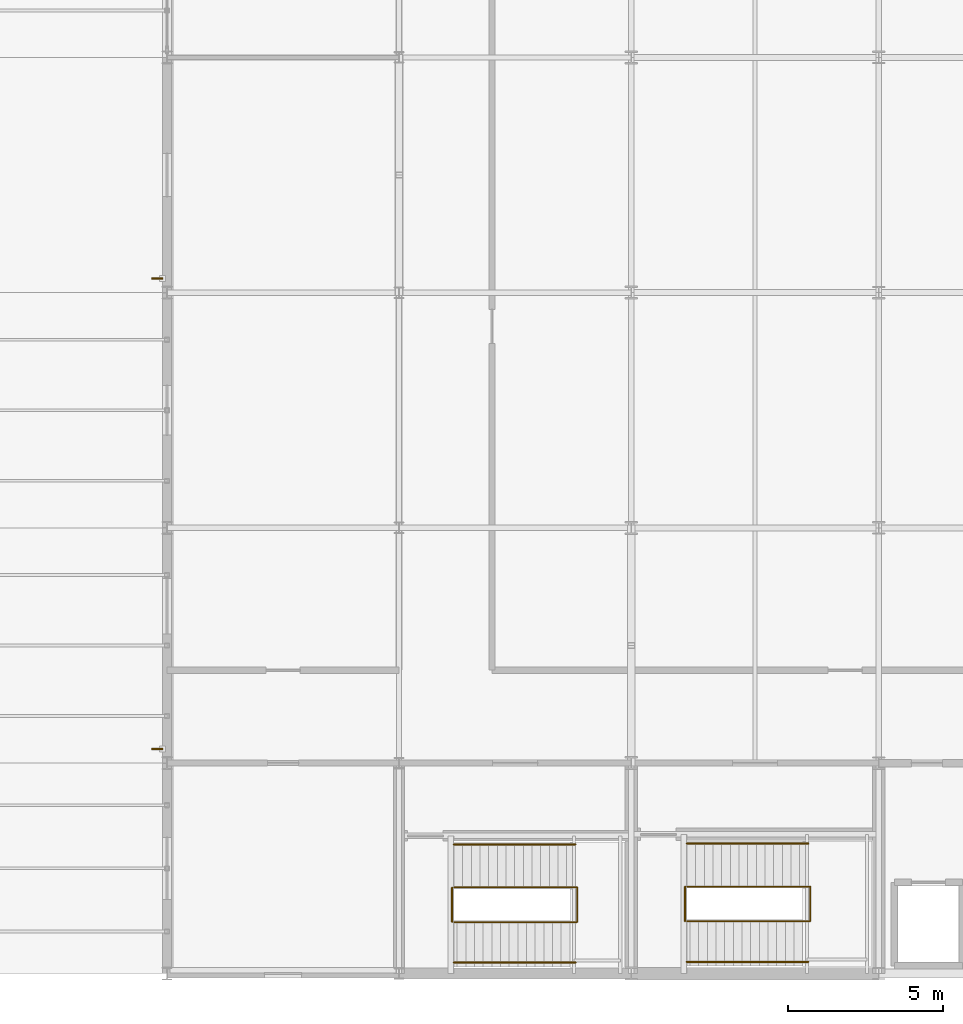
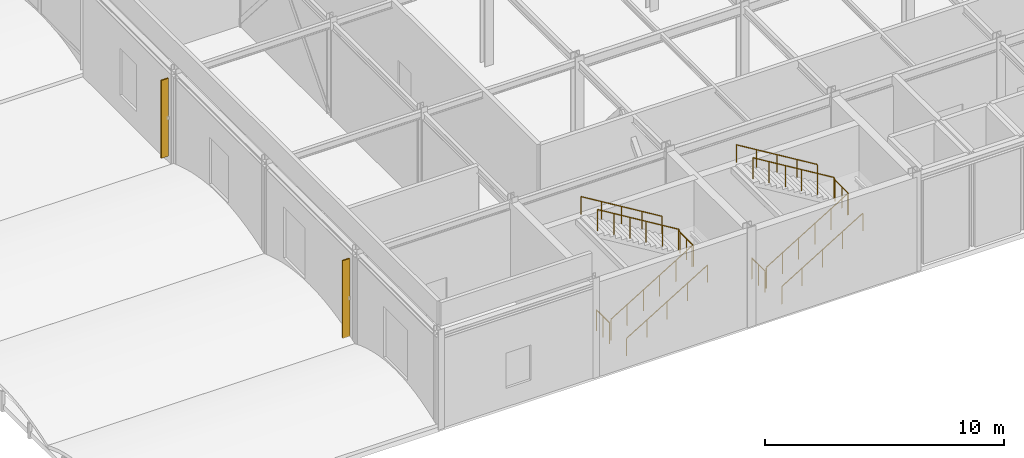
# One storey, part 70 of 79: 8 railings, 2 shading devices.
"""IFC4 building model written with IfcOpenShell, lengths in metres."""

from ifc_helpers import new_model, si_unit, direction, frame, origin, origin_2d, place, context, subcontext, project, spatial, rectangle, circle, extrude, material, layer, layer_set, type_object, element, save


model = new_model("IFC4")

# Units and contexts
model_context = context("Model", 3, precision=1e-05, world=origin(), true_north=direction((0.0, 1.0)))
body_context = subcontext(model_context, "Body", "Model", "MODEL_VIEW")
ifc_project = project(units=[si_unit("LENGTHUNIT", "METRE"), si_unit("AREAUNIT", "SQUARE_METRE"), si_unit("VOLUMEUNIT", "CUBIC_METRE"), si_unit("PLANEANGLEUNIT", "RADIAN"), si_unit("MASSUNIT", "GRAM", prefix="KILO")], contexts=[model_context])

# Site, building, storey
site_placement = place(None, origin())
site = spatial("IfcSite", under=ifc_project, at=site_placement, CompositionType="ELEMENT")
building_placement = place(site_placement, origin())
building = spatial("IfcBuilding", under=site, at=building_placement, Name="Shalkamar Park Central Library", CompositionType="ELEMENT")
storey_placement = place(building_placement, frame((0.0, 0.0, 10.5)))
storey = spatial("IfcBuildingStorey", under=building, at=storey_placement, Name="L03", CompositionType="ELEMENT", Elevation=10.5)

# Shading devices
ifc_material_1 = material(Name="Anodized bronze aluminium solar fin", Category="aluminium")
ifc_layer = layer(ifc_material_1, 0.06005859375)
ifc_layer_set = layer_set([ifc_layer], Name="BronzeSolarLouvreBlade")
shading_device_type = type_object("IfcShadingDeviceType", Name="Bronze Solar Louvre Blade", PredefinedType="SHUTTER", material=ifc_layer_set)
for number, where, z_axis, x_axis, name in (
    (1, (149.68505859375, 255.656005859375, 0.300048828125), (0.0, 0.0, 1.0), (1.0, 0.0, 0.0), "Vertical Solar Fin L03-001"),
    (2, (149.68505859375, 270.85595703125, 0.300048828125), (0.0, 0.0, 1.0), (1.0, 0.0, 0.0), "Vertical Solar Fin L03-002"),
):
    element("IfcShadingDevice", number, at=place(storey_placement, frame(where, z_axis=z_axis, x_axis=x_axis)), inside=storey, type_object=shading_device_type, Name=name, PredefinedType="SHUTTER", context=body_context, shape_type="SweptSolid", body=[
        extrude(rectangle(XDim=0.35009765625, YDim=0.06005859375, at=origin_2d()), origin(), (0.0, 0.0, 1.0), 3.97802734375),
    ])

# Railings
ifc_material_2 = material(Name="Steel S355", Category="steel")
railing_type_1 = type_object("IfcRailingType", Name="Stair Guardrail 1100", PredefinedType="GUARDRAIL", material=ifc_material_2)
railing_1_placement = place(storey_placement, frame((166.800048828125, 250.090087890625, 0.169921875)))
element("IfcRailing", 3, at=railing_1_placement, inside=storey, type_object=railing_type_1, Name="Stair Inner Well Guardrail ST-T1-L03", PredefinedType="GUARDRAIL", context=body_context, shape_type="SweptSolid", body=[
    extrude(circle(Radius=0.02392578125, at=origin_2d()), frame((0.0, 0.0, 1.076171875), z_axis=(0.854770645689, 0.0, 0.519005918337), x_axis=(0.0, 1.0, 0.0)), (0.0, 0.0, 1.0), 4.5859375),
    extrude(circle(Radius=0.02392578125, at=origin_2d()), frame((3.919921875, 0.0, 3.4560546875), z_axis=(1.0, 0.0, 0.0), x_axis=(0.0, 1.0, 0.0)), (0.0, 0.0, 1.0), 0.06005859375),
    extrude(circle(Radius=0.02392578125, at=origin_2d()), frame((3.97998046875, 0.0, 3.4560546875), z_axis=(0.0, 1.0, 0.0), x_axis=(-1.0, 0.0, 0.0)), (0.0, 0.0, 1.0), 1.119873046875),
    extrude(circle(Radius=0.02392578125, at=origin_2d()), frame((3.97998046875, 1.119873046875, 3.4560546875), z_axis=(-0.333245237307, 0.0, 0.942840183601), x_axis=(0.0, -1.0, 0.0)), (0.0, 0.0, 1.0), 0.18017578125),
    extrude(circle(Radius=0.02392578125, at=origin_2d()), frame((3.919921875, 1.119873046875, 3.6259765625), z_axis=(-0.854770645689, 0.0, 0.519005918337), x_axis=(0.0, -1.0, 0.0)), (0.0, 0.0, 1.0), 4.5859375),
    extrude(circle(Radius=0.02099609375, at=origin_2d()), origin(), (0.0, 0.0, 1.0), 1.052001953125),
    extrude(circle(Radius=0.02099609375, at=origin_2d()), frame((0.783935546875, 0.0, 0.47607421875)), (0.0, 0.0, 1.0), 1.052001953125),
    extrude(circle(Radius=0.02099609375, at=origin_2d()), frame((1.56787109375, 0.0, 0.9521484375)), (0.0, 0.0, 1.0), 1.052001953125),
    extrude(circle(Radius=0.02099609375, at=origin_2d()), frame((2.35205078125, 0.0, 1.427978515625)), (0.0, 0.0, 1.0), 1.052001953125),
    extrude(circle(Radius=0.02099609375, at=origin_2d()), frame((3.135986328125, 0.0, 1.904052734375)), (0.0, 0.0, 1.0), 1.052001953125),
    extrude(circle(Radius=0.02099609375, at=origin_2d()), frame((3.919921875, 0.0, 2.380126953125)), (0.0, 0.0, 1.0), 1.052001953125),
    extrude(circle(Radius=0.02099609375, at=origin_2d()), frame((3.97998046875, 0.0, 2.380126953125)), (0.0, 0.0, 1.0), 1.052001953125),
    extrude(circle(Radius=0.02099609375, at=origin_2d()), frame((3.97998046875, 0.56005859375, 2.380126953125)), (0.0, 0.0, 1.0), 1.052001953125),
    extrude(circle(Radius=0.02099609375, at=origin_2d()), frame((3.97998046875, 1.119873046875, 2.380126953125)), (0.0, 0.0, 1.0), 1.052001953125),
    extrude(circle(Radius=0.02099609375, at=origin_2d()), frame((3.919921875, 1.119873046875, 2.550048828125)), (0.0, 0.0, 1.0), 1.052001953125),
    extrude(circle(Radius=0.02099609375, at=origin_2d()), frame((3.135986328125, 1.119873046875, 3.026123046875)), (0.0, 0.0, 1.0), 1.052001953125),
    extrude(circle(Radius=0.02099609375, at=origin_2d()), frame((2.35205078125, 1.119873046875, 3.502197265625)), (0.0, 0.0, 1.0), 1.052001953125),
    extrude(circle(Radius=0.02099609375, at=origin_2d()), frame((1.56787109375, 1.119873046875, 3.97802734375)), (0.0, 0.0, 1.0), 1.052001953125),
    extrude(circle(Radius=0.02099609375, at=origin_2d()), frame((0.783935546875, 1.119873046875, 4.4541015625)), (0.0, 0.0, 1.0), 1.052001953125),
    extrude(circle(Radius=0.02099609375, at=origin_2d()), frame((0.0, 1.119873046875, 4.93017578125)), (0.0, 0.0, 1.0), 1.052001953125),
])
railing_2_placement = place(storey_placement, frame((166.739990234375, 250.10009765625, 0.0)))
element("IfcRailing", 4, at=railing_2_placement, inside=storey, type_object=railing_type_1, Name="Stair Arrival Well Guardrail ST-T1 (L03)", PredefinedType="GUARDRAIL", context=body_context, shape_type="SweptSolid", body=[
    extrude(circle(Radius=0.02392578125, at=origin_2d()), frame((0.0, 0.0, 1.076171875), z_axis=(0.0, 1.0, 0.0), x_axis=(-1.0, 0.0, 0.0)), (0.0, 0.0, 1.0), 1.099853515625),
    extrude(circle(Radius=0.02099609375, at=origin_2d()), origin(), (0.0, 0.0, 1.0), 1.052001953125),
    extrude(circle(Radius=0.02099609375, at=origin_2d()), frame((0.0, 0.5498046875, 0.0)), (0.0, 0.0, 1.0), 1.052001953125),
    extrude(circle(Radius=0.02099609375, at=origin_2d()), frame((0.0, 1.099853515625, 0.0)), (0.0, 0.0, 1.0), 1.052001953125),
])
railing_3_placement = place(storey_placement, frame((159.27490234375, 250.06494140625, 0.169921875)))
element("IfcRailing", 5, at=railing_3_placement, inside=storey, type_object=railing_type_1, Name="Stair Inner Well Guardrail ST-P1-L03", PredefinedType="GUARDRAIL", context=body_context, shape_type="SweptSolid", body=[
    extrude(circle(Radius=0.02392578125, at=origin_2d()), frame((0.0, 0.0, 1.076171875), z_axis=(0.854784984964, 0.0, 0.518982301701), x_axis=(0.0, 1.0, 0.0)), (0.0, 0.0, 1.0), 4.586181640625),
    extrude(circle(Radius=0.02392578125, at=origin_2d()), frame((3.920166015625, 0.0, 3.4560546875), z_axis=(1.0, 0.0, 0.0), x_axis=(0.0, 1.0, 0.0)), (0.0, 0.0, 1.0), 0.059814453125),
    extrude(circle(Radius=0.02392578125, at=origin_2d()), frame((3.97998046875, 0.0, 3.4560546875), z_axis=(0.0, 1.0, 0.0), x_axis=(-1.0, 0.0, 0.0)), (0.0, 0.0, 1.0), 1.1201171875),
    extrude(circle(Radius=0.02392578125, at=origin_2d()), frame((3.97998046875, 1.1201171875, 3.4560546875), z_axis=(-0.332040204651, 0.0, 0.943265234436), x_axis=(0.0, -1.0, 0.0)), (0.0, 0.0, 1.0), 0.18017578125),
    extrude(circle(Radius=0.02392578125, at=origin_2d()), frame((3.920166015625, 1.1201171875, 3.6259765625), z_axis=(-0.854784984964, 0.0, 0.518982301701), x_axis=(0.0, -1.0, 0.0)), (0.0, 0.0, 1.0), 4.586181640625),
    extrude(circle(Radius=0.02099609375, at=origin_2d()), origin(), (0.0, 0.0, 1.0), 1.052001953125),
    extrude(circle(Radius=0.02099609375, at=origin_2d()), frame((0.783935546875, 0.0, 0.47607421875)), (0.0, 0.0, 1.0), 1.052001953125),
    extrude(circle(Radius=0.02099609375, at=origin_2d()), frame((1.568115234375, 0.0, 0.9521484375)), (0.0, 0.0, 1.0), 1.052001953125),
    extrude(circle(Radius=0.02099609375, at=origin_2d()), frame((2.35205078125, 0.0, 1.427978515625)), (0.0, 0.0, 1.0), 1.052001953125),
    extrude(circle(Radius=0.02099609375, at=origin_2d()), frame((3.13623046875, 0.0, 1.904052734375)), (0.0, 0.0, 1.0), 1.052001953125),
    extrude(circle(Radius=0.02099609375, at=origin_2d()), frame((3.920166015625, 0.0, 2.380126953125)), (0.0, 0.0, 1.0), 1.052001953125),
    extrude(circle(Radius=0.02099609375, at=origin_2d()), frame((3.97998046875, 0.0, 2.380126953125)), (0.0, 0.0, 1.0), 1.052001953125),
    extrude(circle(Radius=0.02099609375, at=origin_2d()), frame((3.97998046875, 0.56005859375, 2.380126953125)), (0.0, 0.0, 1.0), 1.052001953125),
    extrude(circle(Radius=0.02099609375, at=origin_2d()), frame((3.97998046875, 1.1201171875, 2.380126953125)), (0.0, 0.0, 1.0), 1.052001953125),
    extrude(circle(Radius=0.02099609375, at=origin_2d()), frame((3.920166015625, 1.1201171875, 2.550048828125)), (0.0, 0.0, 1.0), 1.052001953125),
    extrude(circle(Radius=0.02099609375, at=origin_2d()), frame((3.13623046875, 1.1201171875, 3.026123046875)), (0.0, 0.0, 1.0), 1.052001953125),
    extrude(circle(Radius=0.02099609375, at=origin_2d()), frame((2.35205078125, 1.1201171875, 3.502197265625)), (0.0, 0.0, 1.0), 1.052001953125),
    extrude(circle(Radius=0.02099609375, at=origin_2d()), frame((1.568115234375, 1.1201171875, 3.97802734375)), (0.0, 0.0, 1.0), 1.052001953125),
    extrude(circle(Radius=0.02099609375, at=origin_2d()), frame((0.783935546875, 1.1201171875, 4.4541015625)), (0.0, 0.0, 1.0), 1.052001953125),
    extrude(circle(Radius=0.02099609375, at=origin_2d()), frame((0.0, 1.1201171875, 4.93017578125)), (0.0, 0.0, 1.0), 1.052001953125),
])
railing_4_placement = place(storey_placement, frame((159.215087890625, 250.074951171875, 0.0)))
element("IfcRailing", 6, at=railing_4_placement, inside=storey, type_object=railing_type_1, Name="Stair Arrival Well Guardrail ST-P1 (L03)", PredefinedType="GUARDRAIL", context=body_context, shape_type="SweptSolid", body=[
    extrude(circle(Radius=0.02392578125, at=origin_2d()), frame((0.0, 0.0, 1.076171875), z_axis=(0.0, 1.0, 0.0), x_axis=(-1.0, 0.0, 0.0)), (0.0, 0.0, 1.0), 1.10009765625),
    extrude(circle(Radius=0.02099609375, at=origin_2d()), origin(), (0.0, 0.0, 1.0), 1.052001953125),
    extrude(circle(Radius=0.02099609375, at=origin_2d()), frame((0.0, 0.550048828125, 0.0)), (0.0, 0.0, 1.0), 1.052001953125),
    extrude(circle(Radius=0.02099609375, at=origin_2d()), frame((0.0, 1.10009765625, 0.0)), (0.0, 0.0, 1.0), 1.052001953125),
])
railing_type_2 = type_object("IfcRailingType", Name="Stair Pitched Handrail 920", PredefinedType="HANDRAIL", material=ifc_material_2)
railing_5_placement = place(storey_placement, frame((166.800048828125, 248.780029296875, 0.169921875)))
element("IfcRailing", 7, at=railing_5_placement, inside=storey, type_object=railing_type_2, Name="Stair Wall Handrail ST-T1-L03 Flight 1", PredefinedType="HANDRAIL", context=body_context, shape_type="SweptSolid", body=[
    extrude(circle(Radius=0.02392578125, at=origin_2d()), frame((0.0, 0.0, 0.89599609375), z_axis=(0.854770645689, 0.0, 0.519005918337), x_axis=(0.0, 1.0, 0.0)), (0.0, 0.0, 1.0), 4.5859375),
    extrude(circle(Radius=0.02099609375, at=origin_2d()), origin(), (0.0, 0.0, 1.0), 0.871826171875),
    extrude(circle(Radius=0.02099609375, at=origin_2d()), frame((0.97998046875, 0.0, 0.594970703125)), (0.0, 0.0, 1.0), 0.871826171875),
    extrude(circle(Radius=0.02099609375, at=origin_2d()), frame((1.9599609375, 0.0, 1.18994140625)), (0.0, 0.0, 1.0), 0.871826171875),
    extrude(circle(Radius=0.02099609375, at=origin_2d()), frame((2.93994140625, 0.0, 1.78515625)), (0.0, 0.0, 1.0), 0.871826171875),
    extrude(circle(Radius=0.02099609375, at=origin_2d()), frame((3.919921875, 0.0, 2.380126953125)), (0.0, 0.0, 1.0), 0.871826171875),
])
railing_6_placement = place(storey_placement, frame((170.719970703125, 252.60009765625, 2.719970703125)))
element("IfcRailing", 8, at=railing_6_placement, inside=storey, type_object=railing_type_2, Name="Stair Wall Handrail ST-T1-L03 Flight 2", PredefinedType="HANDRAIL", context=body_context, shape_type="SweptSolid", body=[
    extrude(circle(Radius=0.02392578125, at=origin_2d()), frame((0.0, 0.0, 0.89599609375), z_axis=(-0.854770645689, 0.0, 0.519005918337), x_axis=(0.0, -1.0, 0.0)), (0.0, 0.0, 1.0), 4.5859375),
    extrude(circle(Radius=0.02099609375, at=origin_2d()), origin(), (0.0, 0.0, 1.0), 0.871826171875),
    extrude(circle(Radius=0.02099609375, at=origin_2d()), frame((-0.97998046875, 0.0, 0.594970703125)), (0.0, 0.0, 1.0), 0.871826171875),
    extrude(circle(Radius=0.02099609375, at=origin_2d()), frame((-1.9599609375, 0.0, 1.18994140625)), (0.0, 0.0, 1.0), 0.871826171875),
    extrude(circle(Radius=0.02099609375, at=origin_2d()), frame((-2.93994140625, 0.0, 1.78515625)), (0.0, 0.0, 1.0), 0.871826171875),
    extrude(circle(Radius=0.02099609375, at=origin_2d()), frame((-3.919921875, 0.0, 2.380126953125)), (0.0, 0.0, 1.0), 0.871826171875),
])
railing_7_placement = place(storey_placement, frame((159.27490234375, 248.7548828125, 0.169921875)))
element("IfcRailing", 9, at=railing_7_placement, inside=storey, type_object=railing_type_2, Name="Stair Wall Handrail ST-P1-L03 Flight 1", PredefinedType="HANDRAIL", context=body_context, shape_type="SweptSolid", body=[
    extrude(circle(Radius=0.02392578125, at=origin_2d()), frame((0.0, 0.0, 0.89599609375), z_axis=(0.854784984964, 0.0, 0.518982301701), x_axis=(0.0, 1.0, 0.0)), (0.0, 0.0, 1.0), 4.586181640625),
    extrude(circle(Radius=0.02099609375, at=origin_2d()), origin(), (0.0, 0.0, 1.0), 0.871826171875),
    extrude(circle(Radius=0.02099609375, at=origin_2d()), frame((0.97998046875, 0.0, 0.594970703125)), (0.0, 0.0, 1.0), 0.871826171875),
    extrude(circle(Radius=0.02099609375, at=origin_2d()), frame((1.9599609375, 0.0, 1.18994140625)), (0.0, 0.0, 1.0), 0.871826171875),
    extrude(circle(Radius=0.02099609375, at=origin_2d()), frame((2.940185546875, 0.0, 1.78515625)), (0.0, 0.0, 1.0), 0.871826171875),
    extrude(circle(Radius=0.02099609375, at=origin_2d()), frame((3.920166015625, 0.0, 2.380126953125)), (0.0, 0.0, 1.0), 0.871826171875),
])
railing_8_placement = place(storey_placement, frame((163.195068359375, 252.574951171875, 2.719970703125)))
element("IfcRailing", 10, at=railing_8_placement, inside=storey, type_object=railing_type_2, Name="Stair Wall Handrail ST-P1-L03 Flight 2", PredefinedType="HANDRAIL", context=body_context, shape_type="SweptSolid", body=[
    extrude(circle(Radius=0.02392578125, at=origin_2d()), frame((0.0, 0.0, 0.89599609375), z_axis=(-0.854784984964, 0.0, 0.518982301701), x_axis=(0.0, -1.0, 0.0)), (0.0, 0.0, 1.0), 4.586181640625),
    extrude(circle(Radius=0.02099609375, at=origin_2d()), origin(), (0.0, 0.0, 1.0), 0.871826171875),
    extrude(circle(Radius=0.02099609375, at=origin_2d()), frame((-0.97998046875, 0.0, 0.594970703125)), (0.0, 0.0, 1.0), 0.871826171875),
    extrude(circle(Radius=0.02099609375, at=origin_2d()), frame((-1.9599609375, 0.0, 1.18994140625)), (0.0, 0.0, 1.0), 0.871826171875),
    extrude(circle(Radius=0.02099609375, at=origin_2d()), frame((-2.940185546875, 0.0, 1.78515625)), (0.0, 0.0, 1.0), 0.871826171875),
    extrude(circle(Radius=0.02099609375, at=origin_2d()), frame((-3.920166015625, 0.0, 2.380126953125)), (0.0, 0.0, 1.0), 0.871826171875),
])

save(model, "model.ifc")
